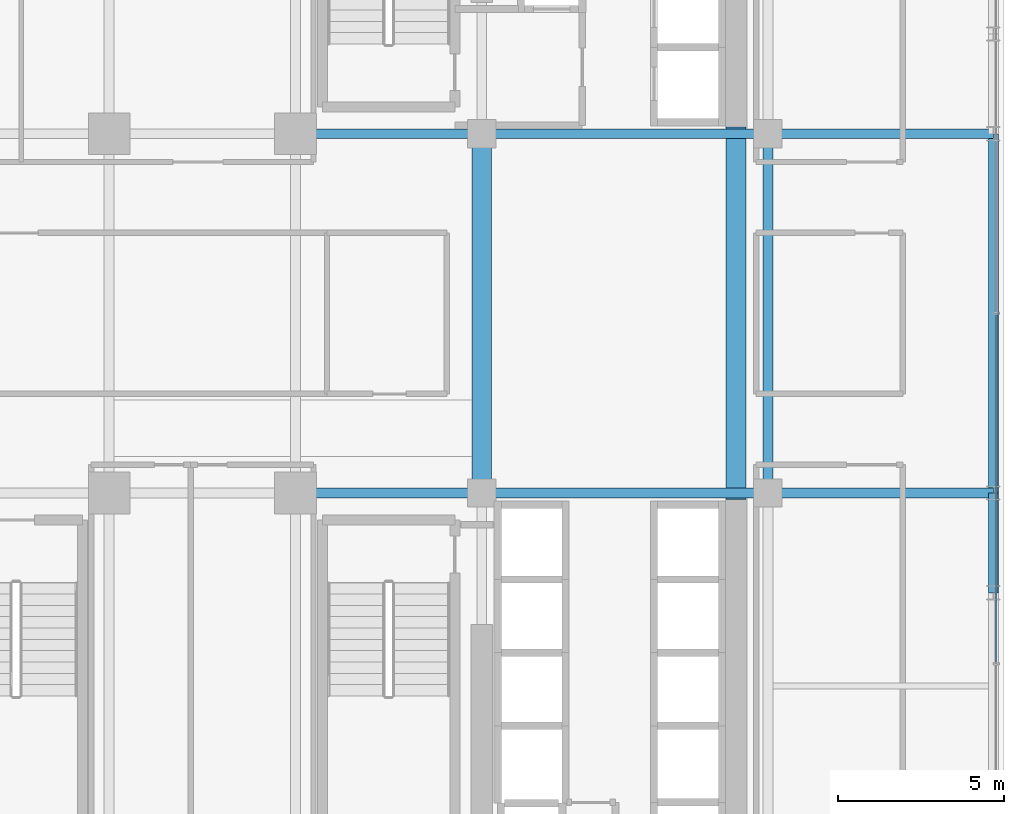
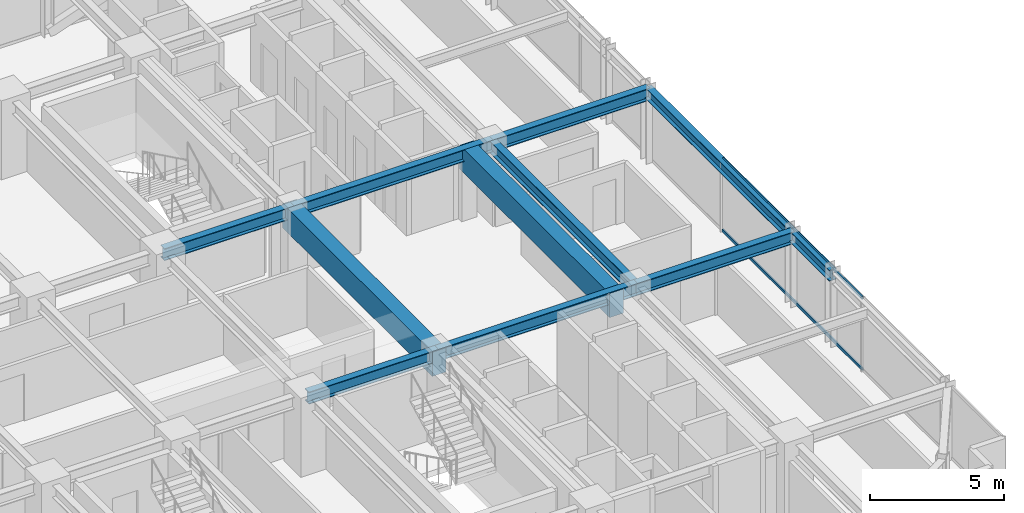
# One storey, part 14 of 35: 11 beams, 2 members, 1 element without a shape of its own.
"""IFC4 building model written with IfcOpenShell, lengths in metres."""

from ifc_helpers import new_model, si_unit, direction, frame, origin, origin_2d, place, context, subcontext, project, spatial, rectangle, hollow_rectangle, i_section, extrude, source, transform, mapped, material, material_profile, profile_set, type_object, element, aggregate, save


model = new_model("IFC4")

# Units and contexts
model_context = context("Model", 3, precision=1e-05, world=origin(), true_north=direction((0.0, 1.0)))
body_context = subcontext(model_context, "Body", "Model", "MODEL_VIEW")
ifc_project = project(units=[si_unit("LENGTHUNIT", "METRE"), si_unit("AREAUNIT", "SQUARE_METRE"), si_unit("VOLUMEUNIT", "CUBIC_METRE"), si_unit("PLANEANGLEUNIT", "RADIAN"), si_unit("MASSUNIT", "GRAM", prefix="KILO")], contexts=[model_context])

# Site, building, storey
site_placement = place(None, origin())
site = spatial("IfcSite", under=ifc_project, at=site_placement, CompositionType="ELEMENT")
building_placement = place(site_placement, origin())
building = spatial("IfcBuilding", under=site, at=building_placement, Name="Nahalor Promenade Grand Hotel", CompositionType="ELEMENT")
storey_placement = place(building_placement, frame((0.0, 0.0, 106.550048828125)))
storey = spatial("IfcBuildingStorey", under=building, at=storey_placement, Name="L26", CompositionType="ELEMENT", Elevation=106.550048828125)

# Beams
ifc_material_1 = material(Name="Concrete B-60 (C50/60)", Category="concrete")
ifc_material_profile_1 = material_profile(ifc_material_1, rectangle(XDim=0.6, YDim=1.1, at=origin_2d()), Name="RC 600x1100")
ifc_profile_set_1 = profile_set([ifc_material_profile_1], Name="Concrete B-60 (C50/60)")
beam_type_1 = type_object("IfcBeamType", Name="Beam-Lintel-RC1100", PredefinedType="LINTEL", material=ifc_profile_set_1)
shared_shape_1 = source(origin(), body_context, "Body", "SweptSolid", [
    extrude(rectangle(XDim=0.6, YDim=1.1, at=origin_2d()), origin(), (0.0, 0.0, 1.0), 11.2001953125),
])
for number, where, z_axis, x_axis, name in (
    (1, (8.39990234375, -5.60009765625, 2.829833984375), (0.0, 1.0, 0.0), (-1.0, 0.0, 0.0), "BM-L26-LINT-W"),
    (2, (16.050048828125, -5.60009765625, 2.829833984375), (0.0, 1.0, 0.0), (-1.0, 0.0, 0.0), "BM-L26-LINT-E"),
):
    element("IfcBeam", number, at=place(storey_placement, frame(where, z_axis=z_axis, x_axis=x_axis)), inside=storey, type_object=beam_type_1, Name=name, PredefinedType="LINTEL", context=body_context, shape_type="MappedRepresentation", body=[
        mapped(shared_shape_1, transform((0.0, 0.0, 0.0), scale=1.0)),
    ])
ifc_material_2 = material(Name="Steel S355JR", Category="steel")
ifc_material_profile_2 = material_profile(ifc_material_2, i_section(OverallWidth=0.3, OverallDepth=0.5, WebThickness=0.0145, FlangeThickness=0.028, at=origin_2d()), Name="HEB 500")
ifc_profile_set_2 = profile_set([ifc_material_profile_2], Name="Steel S355JR")
beam_type_2 = type_object("IfcBeamType", Name="Beam-Spandrel-HEB500", PredefinedType="SPANDREL", material=ifc_profile_set_2)
shared_shape_2 = source(origin(), body_context, "Body", "SweptSolid", [
    extrude(i_section(OverallWidth=0.3, OverallDepth=0.5, WebThickness=0.0145, FlangeThickness=0.028, at=origin_2d()), origin(), (0.0, 0.0, 1.0), 3.0),
])
beam_1_placement = place(storey_placement, frame((23.780029296875, -8.39990234375, 3.1298828125), z_axis=(0.0, 1.0, 0.0), x_axis=(-1.0, 0.0, 0.0)))
element("IfcBeam", 3, at=beam_1_placement, inside=storey, type_object=beam_type_2, Name="BM-L26-SP-E-1", PredefinedType="SPANDREL", context=body_context, shape_type="MappedRepresentation", body=[
    mapped(shared_shape_2, transform((0.0, 0.0, 0.0), scale=1.0)),
])
shared_shape_3 = source(origin(), body_context, "Body", "SweptSolid", [
    extrude(i_section(OverallWidth=0.3, OverallDepth=0.5, WebThickness=0.0145, FlangeThickness=0.028, at=origin_2d()), origin(), (0.0, 0.0, 1.0), 10.7998046875),
])
beam_2_placement = place(storey_placement, frame((23.780029296875, -5.39990234375, 3.1298828125), z_axis=(0.0, 1.0, 0.0), x_axis=(-1.0, 0.0, 0.0)))
element("IfcBeam", 4, at=beam_2_placement, inside=storey, type_object=beam_type_2, Name="BM-L26-SP-E-2", PredefinedType="SPANDREL", context=body_context, shape_type="MappedRepresentation", body=[
    mapped(shared_shape_3, transform((0.0, 0.0, 0.0), scale=1.0)),
])
ifc_material_profile_3 = material_profile(ifc_material_2, i_section(OverallWidth=0.3, OverallDepth=0.55, WebThickness=0.015, FlangeThickness=0.029, at=origin_2d()), Name="HEB 550")
ifc_profile_set_3 = profile_set([ifc_material_profile_3], Name="Steel S355JR")
beam_type_3 = type_object("IfcBeamType", Name="Beam-Girder-HEB550", PredefinedType="BEAM", material=ifc_profile_set_3)
shared_shape_4 = source(origin(), body_context, "Body", "SweptSolid", [
    extrude(i_section(OverallWidth=0.3, OverallDepth=0.55, WebThickness=0.015, FlangeThickness=0.029, at=origin_2d()), origin(), (0.0, 0.0, 1.0), 6.780029296875),
])
for number, where, z_axis, x_axis, name in (
    (5, (17.0, -5.39990234375, 3.10498046875), (1.0, 0.0, 0.0), (0.0, 1.0, 0.0), "BM-L26-GX-1-6"),
    (6, (17.0, 5.39990234375, 3.10498046875), (1.0, 0.0, 0.0), (0.0, 1.0, 0.0), "BM-L26-GX-2-6"),
):
    element("IfcBeam", number, at=place(storey_placement, frame(where, z_axis=z_axis, x_axis=x_axis)), inside=storey, type_object=beam_type_3, Name=name, PredefinedType="BEAM", context=body_context, shape_type="MappedRepresentation", body=[
        mapped(shared_shape_4, transform((0.0, 0.0, 0.0), scale=1.0)),
    ])
shared_shape_5 = source(origin(), body_context, "Body", "SweptSolid", [
    extrude(i_section(OverallWidth=0.3, OverallDepth=0.55, WebThickness=0.015, FlangeThickness=0.029, at=origin_2d()), origin(), (0.0, 0.0, 1.0), 8.60009765625),
])
for number, where, z_axis, x_axis, name in (
    (7, (8.39990234375, -5.39990234375, 3.10498046875), (1.0, 0.0, 0.0), (0.0, 1.0, 0.0), "BM-L26-GX-1-5"),
    (8, (8.39990234375, 5.39990234375, 3.10498046875), (1.0, 0.0, 0.0), (0.0, 1.0, 0.0), "BM-L26-GX-2-5"),
):
    element("IfcBeam", number, at=place(storey_placement, frame(where, z_axis=z_axis, x_axis=x_axis)), inside=storey, type_object=beam_type_3, Name=name, PredefinedType="BEAM", context=body_context, shape_type="MappedRepresentation", body=[
        mapped(shared_shape_5, transform((0.0, 0.0, 0.0), scale=1.0)),
    ])
shared_shape_6 = source(origin(), body_context, "Body", "SweptSolid", [
    extrude(i_section(OverallWidth=0.3, OverallDepth=0.55, WebThickness=0.015, FlangeThickness=0.029, at=origin_2d()), origin(), (0.0, 0.0, 1.0), 5.599853515625),
])
for number, where, z_axis, x_axis, name in (
    (9, (2.800048828125, -5.39990234375, 3.10498046875), (1.0, 0.0, 0.0), (0.0, 1.0, 0.0), "BM-L26-GX-1-4"),
    (10, (2.800048828125, 5.39990234375, 3.10498046875), (1.0, 0.0, 0.0), (0.0, 1.0, 0.0), "BM-L26-GX-2-4"),
):
    element("IfcBeam", number, at=place(storey_placement, frame(where, z_axis=z_axis, x_axis=x_axis)), inside=storey, type_object=beam_type_3, Name=name, PredefinedType="BEAM", context=body_context, shape_type="MappedRepresentation", body=[
        mapped(shared_shape_6, transform((0.0, 0.0, 0.0), scale=1.0)),
    ])
shared_shape_7 = source(origin(), body_context, "Body", "SweptSolid", [
    extrude(i_section(OverallWidth=0.3, OverallDepth=0.55, WebThickness=0.015, FlangeThickness=0.029, at=origin_2d()), origin(), (0.0, 0.0, 1.0), 10.7998046875),
])
beam_3_placement = place(storey_placement, frame((17.0, -5.39990234375, 3.10498046875), z_axis=(0.0, 1.0, 0.0), x_axis=(-1.0, 0.0, 0.0)))
element("IfcBeam", 11, at=beam_3_placement, inside=storey, type_object=beam_type_3, Name="BM-L26-GY-5-2", PredefinedType="BEAM", context=body_context, shape_type="MappedRepresentation", body=[
    mapped(shared_shape_7, transform((0.0, 0.0, 0.0), scale=1.0)),
])

# Curtain wall, members
ifc_material_3 = material(Name="Anodised Bronze Aluminium EN AW-6063 T6", Category="aluminium")
curtain_wall_type = type_object("IfcCurtainWallType", Name="CW2 Typical Hotel Flush Bronze Unitised Curtain Wall", PredefinedType="USERDEFINED", material=ifc_material_3)
curtain_wall_placement = place(storey_placement, origin())
curtain_wall = element("IfcCurtainWall", 12, at=curtain_wall_placement, inside=storey, type_object=curtain_wall_type, Name="L26 Curtain Wall CW-L26-E-1", ObjectType="UNITISED_CURTAIN_WALL", PredefinedType="USERDEFINED")
ifc_material_profile_4 = material_profile(ifc_material_3, hollow_rectangle(XDim=0.065, YDim=0.13, WallThickness=0.004, at=origin_2d()), Name="CWT 65x130x4")
ifc_profile_set_4 = profile_set([ifc_material_profile_4], Name="Anodised Bronze Aluminium EN AW-6063 T6")
member_type = type_object("IfcMemberType", Name="CWT2 Typical Bronze Transom 65x130", PredefinedType="USERDEFINED", material=ifc_profile_set_4)
shared_shape_8 = source(origin(), body_context, "Body", "SweptSolid", [
    extrude(hollow_rectangle(XDim=0.065, YDim=0.13, WallThickness=0.004, at=origin_2d()), origin(), (0.0, 0.0, 1.0), 10.465087890625),
])
member_1_placement = place(storey_placement, frame((23.860107421875, -10.49755859375, 0.06494140625), z_axis=(0.0, 1.0, 0.0), x_axis=(-1.0, 0.0, 0.0)))
member_1 = element("IfcMember", 13, at=member_1_placement, type_object=member_type, Name="CW-L26-E-1 Transom 1-0", ObjectType="TRANSOM", PredefinedType="USERDEFINED", context=body_context, shape_type="MappedRepresentation", body=[
    mapped(shared_shape_8, transform((0.0, 0.0, 0.0), scale=1.0)),
])
member_2_placement = place(storey_placement, frame((23.860107421875, -10.49755859375, 3.31494140625), z_axis=(0.0, 1.0, 0.0), x_axis=(-1.0, 0.0, 0.0)))
member_2 = element("IfcMember", 14, at=member_2_placement, type_object=member_type, Name="CW-L26-E-1 Transom 1-1", ObjectType="TRANSOM", PredefinedType="USERDEFINED", context=body_context, shape_type="MappedRepresentation", body=[
    mapped(shared_shape_8, transform((0.0, 0.0, 0.0), scale=1.0)),
])
aggregate(curtain_wall, [member_1, member_2])

save(model, "model.ifc")
